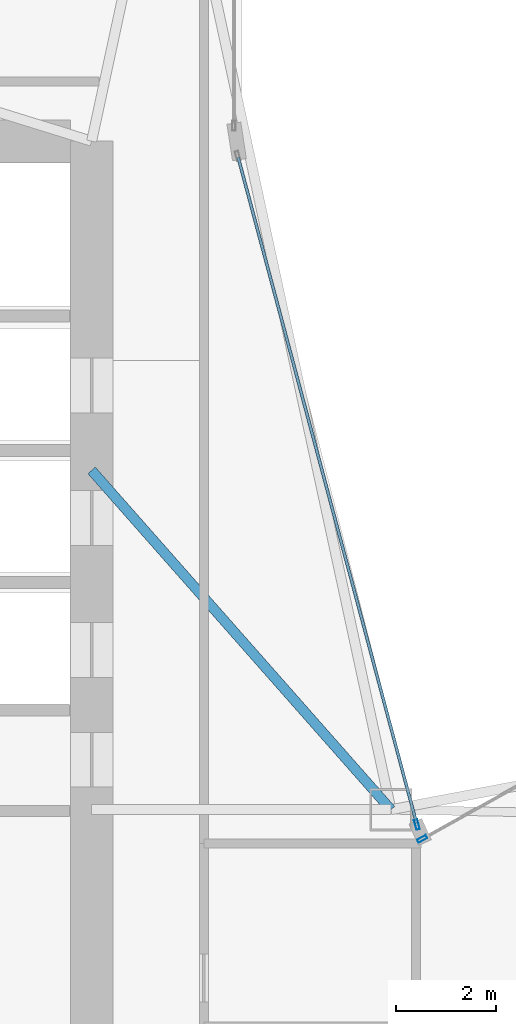
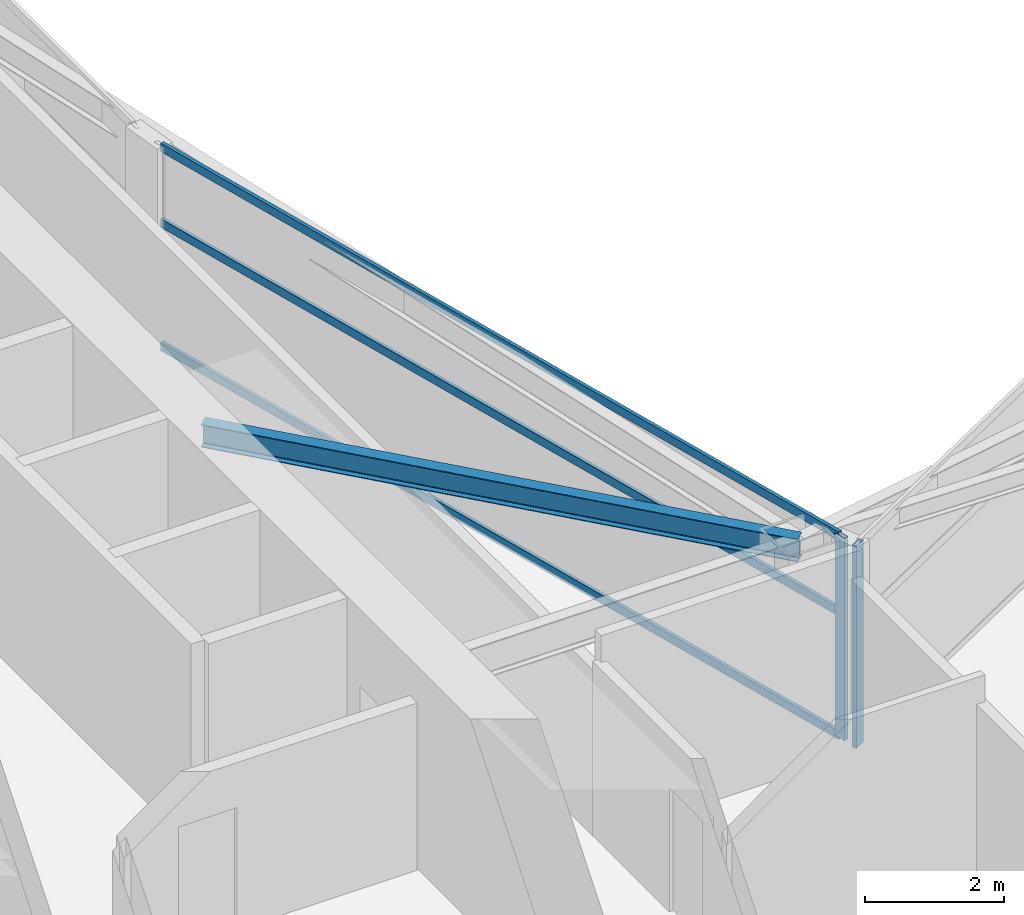
# One storey, part 10 of 29: 5 members, 1 beam, 2 elements without a shape of their own.
"""IFC4 building model written with IfcOpenShell, lengths in metres."""

from ifc_helpers import new_model, si_unit, direction, frame, origin, origin_2d, place, context, subcontext, project, spatial, hollow_rectangle, i_section, extrude, material, layer, layer_set, material_profile, profile_set, type_object, element, aggregate, save


model = new_model("IFC4")

# Units and contexts
model_context = context("Model", 3, precision=1e-05, world=origin(), true_north=direction((0.0, 1.0)))
body_context = subcontext(model_context, "Body", "Model", "MODEL_VIEW")
ifc_project = project(units=[si_unit("LENGTHUNIT", "METRE"), si_unit("AREAUNIT", "SQUARE_METRE"), si_unit("VOLUMEUNIT", "CUBIC_METRE"), si_unit("PLANEANGLEUNIT", "RADIAN"), si_unit("MASSUNIT", "GRAM", prefix="KILO")], contexts=[model_context])

# Site, building, storey
site_placement = place(None, origin())
site = spatial("IfcSite", under=ifc_project, at=site_placement, CompositionType="ELEMENT")
building_placement = place(site_placement, origin())
building = spatial("IfcBuilding", under=site, at=building_placement, Name="Calvorn Quay Hotel", CompositionType="ELEMENT")
storey_placement = place(building_placement, frame((0.0, 0.0, 171.300048828125)))
storey = spatial("IfcBuildingStorey", under=building, at=storey_placement, Name="L42", CompositionType="ELEMENT", Elevation=171.300048828125)

# Beam
ifc_material_1 = material(Name="Steel Q355B", Category="steel")
ifc_material_profile_1 = material_profile(ifc_material_1, i_section(OverallWidth=0.199951171875, OverallDepth=0.39990234375, WebThickness=0.008056640625, FlangeThickness=0.012939453125, FilletRadius=0.01611328125, at=origin_2d()), Name="HN400x200x8x13")
ifc_profile_set_1 = profile_set([ifc_material_profile_1], Name="Steel Q355B")
beam_type = type_object("IfcBeamType", Name="BM-JOIST-TYP", PredefinedType="JOIST", material=ifc_profile_set_1)
beam_placement = place(storey_placement, frame((15.0, 31.800048828125, 3.33984375), z_axis=(0.661618965899, -0.749840212287, 0.0), x_axis=(0.749840212287, 0.661618965899, 0.0)))
element("IfcBeam", 1, at=beam_placement, inside=storey, type_object=beam_type, Name="Beam BJ-L42-C1", PredefinedType="JOIST", context=body_context, shape_type="SweptSolid", body=[
    extrude(i_section(OverallWidth=0.199951171875, OverallDepth=0.39990234375, WebThickness=0.008056640625, FlangeThickness=0.012939453125, FilletRadius=0.01611328125, at=origin_2d()), origin(), (0.0, 0.0, 1.0), 9.068603515625),
])

# Curtain wall, member
ifc_material_2 = material(Name="Pale Anodised Aluminium and Low-E Glass", Category="aluminium")
ifc_layer = layer(ifc_material_2, 0.219970703125)
ifc_layer_set = layer_set([ifc_layer], Name="CW-SYS-Z2")
curtain_wall_type = type_object("IfcCurtainWallType", Name="CW-SYS-Z2", PredefinedType="NOTDEFINED", material=ifc_layer_set)
curtain_wall_1_placement = place(storey_placement, origin())
curtain_wall_1 = element("IfcCurtainWall", 2, at=curtain_wall_1_placement, inside=storey, type_object=curtain_wall_type, Name="Inner Court Curtain Wall L42-NE1", PredefinedType="NOTDEFINED")
ifc_material_3 = material(Name="Pale Anodised Aluminium 6063-T6", Category="aluminium")
ifc_material_profile_2 = material_profile(ifc_material_3, hollow_rectangle(XDim=0.070068359375, YDim=0.199951171875, WallThickness=0.00390625, at=origin_2d()), Name="ALU-M200x70x4")
ifc_profile_set_2 = profile_set([ifc_material_profile_2], Name="Pale Anodised Aluminium 6063-T6")
member_type_1 = type_object("IfcMemberType", Name="CW-SYS-Z2-MUL", PredefinedType="MULLION", material=ifc_profile_set_2)
member_1_placement = place(storey_placement, frame((21.626220703125, 24.41455078125, 0.0), z_axis=(0.0, 0.0, 1.0), x_axis=(0.486858256224, -0.873480989116, 0.0)))
member_1 = element("IfcMember", 3, at=member_1_placement, type_object=member_type_1, Name="CW-L42-NE1 mullion 4", PredefinedType="MULLION", context=body_context, shape_type="SweptSolid", body=[
    extrude(hollow_rectangle(XDim=0.070068359375, YDim=0.199951171875, WallThickness=0.00390625, at=origin_2d()), origin(), (0.0, 0.0, 1.0), 3.56005859375),
])
aggregate(curtain_wall_1, [member_1])

# Curtain wall, members
curtain_wall_2_placement = place(storey_placement, origin())
curtain_wall_2 = element("IfcCurtainWall", 4, at=curtain_wall_2_placement, inside=storey, type_object=curtain_wall_type, Name="Inner Court Curtain Wall L42-IC1", PredefinedType="NOTDEFINED")
member_2_placement = place(storey_placement, frame((21.520263671875, 24.698974609375, 0.0), z_axis=(0.0, 0.0, 1.0), x_axis=(-0.96593652056, -0.25877913024, 0.0)))
member_2 = element("IfcMember", 5, at=member_2_placement, type_object=member_type_1, Name="CW-L42-IC1 mullion 1", PredefinedType="MULLION", context=body_context, shape_type="SweptSolid", body=[
    extrude(hollow_rectangle(XDim=0.070068359375, YDim=0.199951171875, WallThickness=0.00390625, at=origin_2d()), origin(), (0.0, 0.0, 1.0), 3.56005859375),
])
ifc_material_4 = material(Name="Pale Anodised Aluminium 6063-T6", Category="aluminium")
ifc_material_profile_3 = material_profile(ifc_material_4, hollow_rectangle(XDim=0.06005859375, YDim=0.14990234375, WallThickness=0.00341796875, at=origin_2d()), Name="ALU-T150x60x3.5")
ifc_profile_set_3 = profile_set([ifc_material_profile_3], Name="Pale Anodised Aluminium 6063-T6")
member_type_2 = type_object("IfcMemberType", Name="CW-SYS-Z2-TRN", PredefinedType="USERDEFINED", material=ifc_profile_set_3)
member_3_placement = place(storey_placement, frame((21.512451171875, 24.72802734375, 0.030029296875), z_axis=(-0.258781136883, 0.965935982969, 0.0), x_axis=(-0.965935982969, -0.258781136883, 0.0)))
member_3 = element("IfcMember", 6, at=member_3_placement, type_object=member_type_2, Name="CW-L42-IC1 transom 1.1", ObjectType="TRANSOM", PredefinedType="USERDEFINED", context=body_context, shape_type="SweptSolid", body=[
    extrude(hollow_rectangle(XDim=0.06005859375, YDim=0.14990234375, WallThickness=0.00341796875, at=origin_2d()), origin(), (0.0, 0.0, 1.0), 13.814453125),
])
member_4_placement = place(storey_placement, frame((21.512451171875, 24.72802734375, 2.199951171875), z_axis=(-0.258781136883, 0.965935982969, 0.0), x_axis=(-0.965935982969, -0.258781136883, 0.0)))
member_4 = element("IfcMember", 7, at=member_4_placement, type_object=member_type_2, Name="CW-L42-IC1 transom 1.2", ObjectType="TRANSOM", PredefinedType="USERDEFINED", context=body_context, shape_type="SweptSolid", body=[
    extrude(hollow_rectangle(XDim=0.06005859375, YDim=0.14990234375, WallThickness=0.00341796875, at=origin_2d()), origin(), (0.0, 0.0, 1.0), 13.814453125),
])
member_5_placement = place(storey_placement, frame((21.512451171875, 24.72802734375, 3.530029296875), z_axis=(-0.258781136883, 0.965935982969, 0.0), x_axis=(-0.965935982969, -0.258781136883, 0.0)))
member_5 = element("IfcMember", 8, at=member_5_placement, type_object=member_type_2, Name="CW-L42-IC1 transom 1.3", ObjectType="TRANSOM", PredefinedType="USERDEFINED", context=body_context, shape_type="SweptSolid", body=[
    extrude(hollow_rectangle(XDim=0.06005859375, YDim=0.14990234375, WallThickness=0.00341796875, at=origin_2d()), origin(), (0.0, 0.0, 1.0), 13.814453125),
])
aggregate(curtain_wall_2, [member_2, member_3, member_4, member_5])

save(model, "model.ifc")
